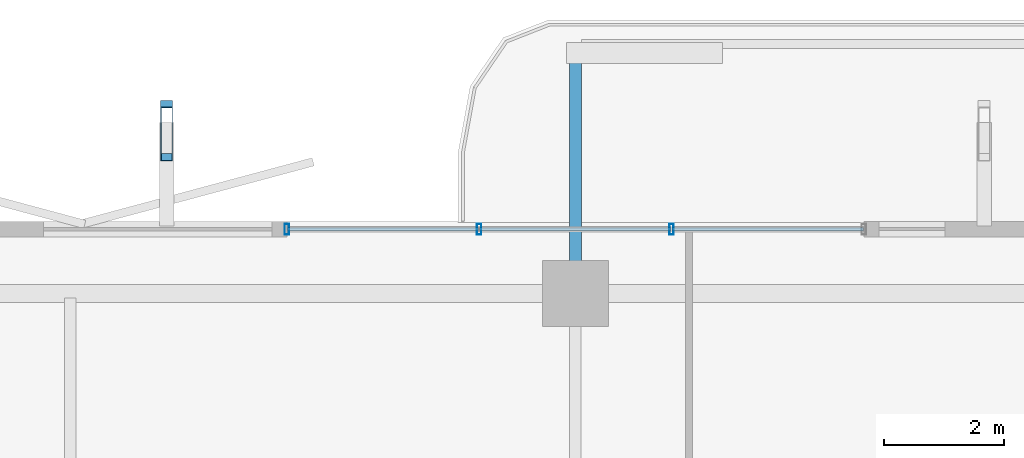
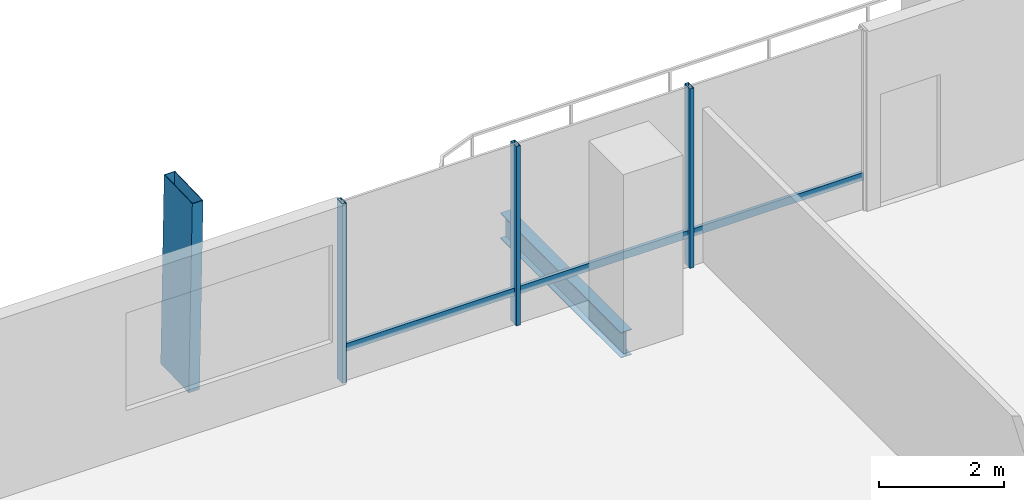
# One storey, part 14 of 25: 7 members, 1 beam, 1 element without a shape of its own.
"""IFC4 building model written with IfcOpenShell, lengths in metres."""

import ifcopenshell
import ifcopenshell.guid

model = None  # the IFC model being written
_history = None  # IfcOwnerHistory: only IFC2X3 demands one
_inside = {}  # id of a spatial element -> (the spatial element, [elements in it])
_under = {}  # id of a project, library or spatial element -> (it, [spatial elements below it])
_declared = {}  # id of a project -> (the project, [libraries it declares])
_typed = {}  # id of a type object -> (the type object, [elements of that type])
_made_of = {}  # id of a material, layer set ... -> (it, [elements and type objects made of it])


def new_model(schema):
    """Start an empty IFC model of exactly this schema.

    Asked for "IFC4X3", IfcOpenShell would pick the latest addendum, in which some entities
    have other attributes; the version numbers below select the first issue.
    IFC2X3 requires an IfcOwnerHistory on every rooted entity: one is made here for all.
    """
    global model, _history
    if schema == "IFC4X3":
        model = ifcopenshell.file(schema_version=(4, 3, 0, 0))
    else:
        model = ifcopenshell.file(schema=schema)
    _inside.clear()
    _under.clear()
    _declared.clear()
    _typed.clear()
    _made_of.clear()
    _history = None
    if model.schema == "IFC2X3":
        org = make("IfcOrganization", Name="unknown")
        user = make(
            "IfcPersonAndOrganization",
            ThePerson=make("IfcPerson", FamilyName="unknown"),
            TheOrganization=org,
        )
        app = make(
            "IfcApplication",
            ApplicationDeveloper=org,
            Version="unknown",
            ApplicationFullName="unknown",
            ApplicationIdentifier="unknown",
        )
        _history = make(
            "IfcOwnerHistory",
            OwningUser=user,
            OwningApplication=app,
            ChangeAction="ADDED",
            CreationDate=0,
        )
    return model


def make(cls, **values):
    """One entity of the class cls with the attributes given. An attribute that is None is left unset."""
    return model.create_entity(
        cls, **{name: value for name, value in values.items() if value is not None}
    )


def rooted(cls, **values):
    """An entity with a GlobalId (a new one), such as an element, a storey or a relation."""
    return make(cls, GlobalId=ifcopenshell.guid.new(), OwnerHistory=_history, **values)


def si_unit(unit_type, name, prefix=None):
    """IfcSIUnit, for example si_unit("LENGTHUNIT", "METRE", prefix="MILLI")."""
    return make("IfcSIUnit", UnitType=unit_type, Prefix=prefix, Name=name)


def assignment(units):
    """IfcUnitAssignment: the units of a project."""
    return None if units is None else make("IfcUnitAssignment", Units=units)


def point(xyz):
    """IfcCartesianPoint."""
    return None if xyz is None else make("IfcCartesianPoint", Coordinates=xyz)


def direction(xyz):
    """IfcDirection."""
    return None if xyz is None else make("IfcDirection", DirectionRatios=xyz)


def frame(location, z_axis=None, x_axis=None):
    """IfcAxis2Placement3D, a coordinate frame: its origin and axes. An axis left out is left unset."""
    return make(
        "IfcAxis2Placement3D",
        Location=point(location),
        Axis=direction(z_axis),
        RefDirection=direction(x_axis),
    )


def frame_2d(location, x_axis=None):
    """IfcAxis2Placement2D, a coordinate frame in the plane: its origin and x axis."""
    return make(
        "IfcAxis2Placement2D", Location=point(location), RefDirection=direction(x_axis)
    )


def origin():
    """The frame at (0, 0, 0) with its axes left unset."""
    return frame((0.0, 0.0, 0.0))


def origin_2d():
    """The frame at (0, 0) in the plane with its x axis left unset."""
    return frame_2d((0.0, 0.0))


def place(relative_to, where):
    """IfcLocalPlacement: puts the frame where relative to a parent placement (None: the world)."""
    return make(
        "IfcLocalPlacement", PlacementRelTo=relative_to, RelativePlacement=where
    )


def context(
    kind, dimensions, precision=None, world=None, true_north=None, identifier=None
):
    """IfcGeometricRepresentationContext, for example the 3D "Model" context."""
    return make(
        "IfcGeometricRepresentationContext",
        ContextIdentifier=identifier,
        ContextType=kind,
        CoordinateSpaceDimension=dimensions,
        Precision=precision,
        WorldCoordinateSystem=world,
        TrueNorth=true_north,
    )


def subcontext(parent, identifier, kind, view, scale=None):
    """IfcGeometricRepresentationSubContext, for example "Body" below "Model"."""
    return make(
        "IfcGeometricRepresentationSubContext",
        ContextIdentifier=identifier,
        ContextType=kind,
        ParentContext=parent,
        TargetScale=scale,
        TargetView=view,
    )


def project(units=None, contexts=None):
    """IfcProject with its units and contexts."""
    return rooted(
        "IfcProject",
        Name="project",
        RepresentationContexts=contexts,
        UnitsInContext=assignment(units),
    )


def spatial(cls, under=None, at=None, **own):
    """A site, building, storey or space (cls), placed at a placement, below another one or the project."""
    s = rooted(cls, ObjectPlacement=at, **own)
    if under is not None:
        _under.setdefault(under.id(), (under, []))[1].append(s)
    return s


def profile(cls, at=None, kind="AREA", **sizes):
    """A parametric profile (cls). Its sizes go by their IFC names, for example OverallWidth=200.0."""
    return make(cls, ProfileType=kind, Position=at, **sizes)


def hollow_rectangle(**sizes):
    """IfcRectangleHollowProfileDef."""
    return profile("IfcRectangleHollowProfileDef", **sizes)


def i_section(**sizes):
    """IfcIShapeProfileDef."""
    return profile("IfcIShapeProfileDef", **sizes)


def extrude(swept, where, along, depth):
    """IfcExtrudedAreaSolid: the profile swept, set in the frame where, extruded along a direction by depth."""
    return make(
        "IfcExtrudedAreaSolid",
        SweptArea=swept,
        Position=where,
        ExtrudedDirection=direction(along),
        Depth=depth,
    )


def shape(context_of_items, identifier, shape_type, items):
    """IfcShapeRepresentation: the items that make up one representation, for example the "Body"."""
    return make(
        "IfcShapeRepresentation",
        ContextOfItems=context_of_items,
        RepresentationIdentifier=identifier,
        RepresentationType=shape_type,
        Items=items,
    )


def material(Name=None, Category=None):
    """IfcMaterial."""
    return make("IfcMaterial", Name=Name, Category=Category)


def layer(
    of_material, thickness, ventilated=None, Name=None, Category=None, Priority=None
):
    """IfcMaterialLayer: one layer of a wall or slab, of a material (None: an air gap)."""
    return make(
        "IfcMaterialLayer",
        Material=of_material,
        LayerThickness=thickness,
        IsVentilated=ventilated,
        Name=Name,
        Category=Category,
        Priority=Priority,
    )


def layer_set(layers, Name=None):
    """IfcMaterialLayerSet."""
    return make("IfcMaterialLayerSet", MaterialLayers=layers, LayerSetName=Name)


def material_profile(
    of_material, cross_section, Name=None, Category=None, Priority=None
):
    """IfcMaterialProfile: a cross section and its material."""
    return make(
        "IfcMaterialProfile",
        Name=Name,
        Material=of_material,
        Profile=cross_section,
        Priority=Priority,
        Category=Category,
    )


def profile_set(profiles, Name=None, composite=None):
    """IfcMaterialProfileSet."""
    return make(
        "IfcMaterialProfileSet",
        Name=Name,
        MaterialProfiles=profiles,
        CompositeProfile=composite,
    )


def made_of(thing, what):
    """Note that an element or type object is made of a material, layer set ...; save() writes the relation."""
    if what is not None:
        _made_of.setdefault(what.id(), (what, []))[1].append(thing)
    return thing


def type_object(cls, material=None, **own):
    """A type object (cls), such as IfcWallType, which elements share."""
    return made_of(rooted(cls, **own), material)


def element(
    cls,
    number,
    at=None,
    inside=None,
    cuts=None,
    type_object=None,
    material=None,
    context=None,
    identifier="Body",
    shape_type=None,
    held_by="IfcProductDefinitionShape",
    body=None,
    shapes=None,
    **own,
):
    """One element of the class cls, such as IfcWall. Its Tag is "e" and its number.

    at: its placement. inside: the storey or other place that contains it. cuts: it is an
    opening in that element (IfcRelVoidsElement). A single representation is given by context,
    identifier, shape_type and body (its items); several are given by shapes. held_by: the class
    of the entity that holds the representations. save() writes the other relations.
    """
    e = rooted(cls, Tag="e%d" % number, ObjectPlacement=at, **own)
    if body is not None:
        shapes = [shape(context, identifier, shape_type, body)]
    if shapes is not None:
        e.Representation = make(held_by, Representations=shapes)
    if inside is not None:
        _inside.setdefault(inside.id(), (inside, []))[1].append(e)
    if cuts is not None:
        rooted(
            "IfcRelVoidsElement", RelatingBuildingElement=cuts, RelatedOpeningElement=e
        )
    if type_object is not None:
        _typed.setdefault(type_object.id(), (type_object, []))[1].append(e)
    return made_of(e, material)


def aggregate(whole, parts):
    """IfcRelAggregates: a whole, such as a stair, and the parts it consists of."""
    return rooted("IfcRelAggregates", RelatingObject=whole, RelatedObjects=parts)


def save(model, path):
    """Write the relations noted so far, then the file.

    IfcRelAggregates (storeys below a building ...), IfcRelContainedInSpatialStructure (elements
    in a storey), IfcRelDefinesByType, IfcRelAssociatesMaterial and IfcRelDeclares: one each for
    every whole, place, type object, material and project.
    """
    for whole, parts in _under.values():
        aggregate(whole, parts)
    for where, things in _inside.values():
        rooted(
            "IfcRelContainedInSpatialStructure",
            RelatedElements=things,
            RelatingStructure=where,
        )
    for kind, things in _typed.values():
        rooted("IfcRelDefinesByType", RelatedObjects=things, RelatingType=kind)
    for what, things in _made_of.values():
        rooted("IfcRelAssociatesMaterial", RelatedObjects=things, RelatingMaterial=what)
    for by, libraries in _declared.values():
        rooted("IfcRelDeclares", RelatingContext=by, RelatedDefinitions=libraries)
    model.write(path)


model = new_model("IFC4")

# Units and contexts
model_context = context("Model", 3, precision=1e-05, world=origin(), true_north=direction((0.0, 1.0)))
body_context = subcontext(model_context, "Body", "Model", "MODEL_VIEW")
ifc_project = project(units=[si_unit("LENGTHUNIT", "METRE"), si_unit("AREAUNIT", "SQUARE_METRE"), si_unit("VOLUMEUNIT", "CUBIC_METRE"), si_unit("PLANEANGLEUNIT", "RADIAN"), si_unit("MASSUNIT", "GRAM", prefix="KILO")], contexts=[model_context])

# Site, building, storey
site_placement = place(None, origin())
site = spatial("IfcSite", under=ifc_project, at=site_placement, CompositionType="ELEMENT")
building_placement = place(site_placement, origin())
building = spatial("IfcBuilding", under=site, at=building_placement, Name="Belovzor Exchange Tower", CompositionType="ELEMENT")
storey_placement = place(building_placement, frame((0.0, 0.0, 149.550048828125)))
storey = spatial("IfcBuildingStorey", under=building, at=storey_placement, Name="L36", CompositionType="ELEMENT", Elevation=149.550048828125)

# Beam
ifc_material_1 = material(Name="Steel S355", Category="steel")
ifc_material_profile_1 = material_profile(ifc_material_1, i_section(OverallWidth=0.199951171875, OverallDepth=0.5, WebThickness=0.01025390625, FlangeThickness=0.01611328125, at=origin_2d()))
ifc_profile_set_1 = profile_set([ifc_material_profile_1], Name="Steel S355")
beam_type = type_object("IfcBeamType", Name="Planted Balcony Cantilever Beam IPE 500", PredefinedType="BEAM", material=ifc_profile_set_1)
beam_placement = place(storey_placement, frame((28.800048828125, 52.202880859375, -0.505126953125), z_axis=(0.0, 1.0, 0.0), x_axis=(-1.0, 0.0, 0.0)))
element("IfcBeam", 1, at=beam_placement, inside=storey, type_object=beam_type, Name="BC-500 Planted Balcony Cantilever Beam IPE 500", PredefinedType="BEAM", context=body_context, shape_type="SweptSolid", body=[
    extrude(i_section(OverallWidth=0.199951171875, OverallDepth=0.5, WebThickness=0.01025390625, FlangeThickness=0.01611328125, at=origin_2d()), origin(), (0.0, 0.0, 1.0), 3.85009765625),
])

# Member
ifc_material_2 = material(Name="Extruded Architectural Terracotta on Steel S355 Carrier", Category="masonry")
ifc_material_profile_2 = material_profile(ifc_material_2, hollow_rectangle(XDim=0.199951171875, YDim=0.89990234375, WallThickness=0.011962890625, at=origin_2d()))
ifc_profile_set_2 = profile_set([ifc_material_profile_2], Name="Extruded Architectural Terracotta on Steel S355 Carrier")
member_type_1 = type_object("IfcMemberType", Name="Sweeping Terracotta Baguette Fin Assembly 1250", PredefinedType="USERDEFINED", material=ifc_profile_set_2)
member_1_placement = place(storey_placement, frame((22.0, 54.6640625, -0.255126953125), z_axis=(0.0, -0.030129544208, 0.999546002226), x_axis=(1.0, 0.0, 0.0)))
element("IfcMember", 2, at=member_1_placement, inside=storey, type_object=member_type_1, Name="FIN-TC125 Terracotta Facade Fin L36 N2", ObjectType="FIN", PredefinedType="USERDEFINED", context=body_context, shape_type="SweptSolid", body=[
    extrude(hollow_rectangle(XDim=0.199951171875, YDim=0.89990234375, WallThickness=0.011962890625, at=origin_2d()), origin(), (0.0, 0.0, 1.0), 3.751708984375),
])

# Curtain wall, members
ifc_material_3 = material(Name="Anodised Aluminium Framing", Category="aluminium")
ifc_layer = layer(ifc_material_3, 0.179931640625)
ifc_layer_set = layer_set([ifc_layer], Name="Anodised Aluminium Framing")
curtain_wall_type = type_object("IfcCurtainWallType", Name="Recessed Loggia Low-Iron Triple-Glazed Curtain Wall", PredefinedType="NOTDEFINED", material=ifc_layer_set)
curtain_wall_placement = place(storey_placement, origin())
curtain_wall = element("IfcCurtainWall", 3, at=curtain_wall_placement, inside=storey, type_object=curtain_wall_type, Name="CW3 Recessed Loggia Low-Iron Triple-Glazed Curtain Wall L36", PredefinedType="NOTDEFINED")
ifc_material_4 = material(Name="Steel S355", Category="steel")
ifc_material_profile_3 = material_profile(ifc_material_4, hollow_rectangle(XDim=0.074951171875, YDim=0.179931640625, WallThickness=0.0048828125, at=origin_2d()))
ifc_profile_set_3 = profile_set([ifc_material_profile_3], Name="Steel S355")
member_type_2 = type_object("IfcMemberType", Name="Thermally Broken Curtain Wall Mullion 180x75", PredefinedType="MULLION", material=ifc_profile_set_3)
member_2_placement = place(storey_placement, frame((24.0, 52.969970703125, 0.0), z_axis=(0.0, 0.0, 1.0), x_axis=(1.0, 0.0, 0.0)))
member_2 = element("IfcMember", 4, at=member_2_placement, type_object=member_type_2, Name="CW-M180 Curtain Wall Mullion 1", PredefinedType="MULLION", context=body_context, shape_type="SweptSolid", body=[
    extrude(hollow_rectangle(XDim=0.074951171875, YDim=0.179931640625, WallThickness=0.0048828125, at=origin_2d()), origin(), (0.0, 0.0, 1.0), 3.494873046875),
])
member_3_placement = place(storey_placement, frame((27.199951171875, 52.969970703125, 0.0), z_axis=(0.0, 0.0, 1.0), x_axis=(1.0, 0.0, 0.0)))
member_3 = element("IfcMember", 5, at=member_3_placement, type_object=member_type_2, Name="CW-M180 Curtain Wall Mullion 2", PredefinedType="MULLION", context=body_context, shape_type="SweptSolid", body=[
    extrude(hollow_rectangle(XDim=0.074951171875, YDim=0.179931640625, WallThickness=0.0048828125, at=origin_2d()), origin(), (0.0, 0.0, 1.0), 3.494873046875),
])
member_4_placement = place(storey_placement, frame((30.39990234375, 52.969970703125, 0.0), z_axis=(0.0, 0.0, 1.0), x_axis=(1.0, 0.0, 0.0)))
member_4 = element("IfcMember", 6, at=member_4_placement, type_object=member_type_2, Name="CW-M180 Curtain Wall Mullion 3", PredefinedType="MULLION", context=body_context, shape_type="SweptSolid", body=[
    extrude(hollow_rectangle(XDim=0.074951171875, YDim=0.179931640625, WallThickness=0.0048828125, at=origin_2d()), origin(), (0.0, 0.0, 1.0), 3.494873046875),
])
ifc_material_5 = material(Name="Steel S355", Category="steel")
ifc_material_profile_4 = material_profile(ifc_material_5, hollow_rectangle(XDim=0.06005859375, YDim=0.14990234375, WallThickness=0.00390625, at=origin_2d()))
ifc_profile_set_4 = profile_set([ifc_material_profile_4], Name="Steel S355")
member_type_3 = type_object("IfcMemberType", Name="Thermally Broken Curtain Wall Transom 150x60", PredefinedType="USERDEFINED", material=ifc_profile_set_4)
member_5_placement = place(storey_placement, frame((24.008056640625, 52.969970703125, 0.62890625), z_axis=(1.0, 0.0, 0.0), x_axis=(0.0, 1.0, 0.0)))
member_5 = element("IfcMember", 7, at=member_5_placement, type_object=member_type_3, Name="CW-T150 Curtain Wall Transom 1", ObjectType="TRANSOM", PredefinedType="USERDEFINED", context=body_context, shape_type="SweptSolid", body=[
    extrude(hollow_rectangle(XDim=0.06005859375, YDim=0.14990234375, WallThickness=0.00390625, at=origin_2d()), origin(), (0.0, 0.0, 1.0), 3.183837890625),
])
member_6_placement = place(storey_placement, frame((27.2080078125, 52.969970703125, 0.62890625), z_axis=(1.0, 0.0, 0.0), x_axis=(0.0, 1.0, 0.0)))
member_6 = element("IfcMember", 8, at=member_6_placement, type_object=member_type_3, Name="CW-T150 Curtain Wall Transom 2", ObjectType="TRANSOM", PredefinedType="USERDEFINED", context=body_context, shape_type="SweptSolid", body=[
    extrude(hollow_rectangle(XDim=0.06005859375, YDim=0.14990234375, WallThickness=0.00390625, at=origin_2d()), origin(), (0.0, 0.0, 1.0), 3.18408203125),
])
member_7_placement = place(storey_placement, frame((30.407958984375, 52.969970703125, 0.62890625), z_axis=(1.0, 0.0, 0.0), x_axis=(0.0, 1.0, 0.0)))
member_7 = element("IfcMember", 9, at=member_7_placement, type_object=member_type_3, Name="CW-T150 Curtain Wall Transom 3", ObjectType="TRANSOM", PredefinedType="USERDEFINED", context=body_context, shape_type="SweptSolid", body=[
    extrude(hollow_rectangle(XDim=0.06005859375, YDim=0.14990234375, WallThickness=0.00390625, at=origin_2d()), origin(), (0.0, 0.0, 1.0), 3.18408203125),
])
aggregate(curtain_wall, [member_2, member_3, member_4, member_5, member_6, member_7])

save(model, "model.ifc")
